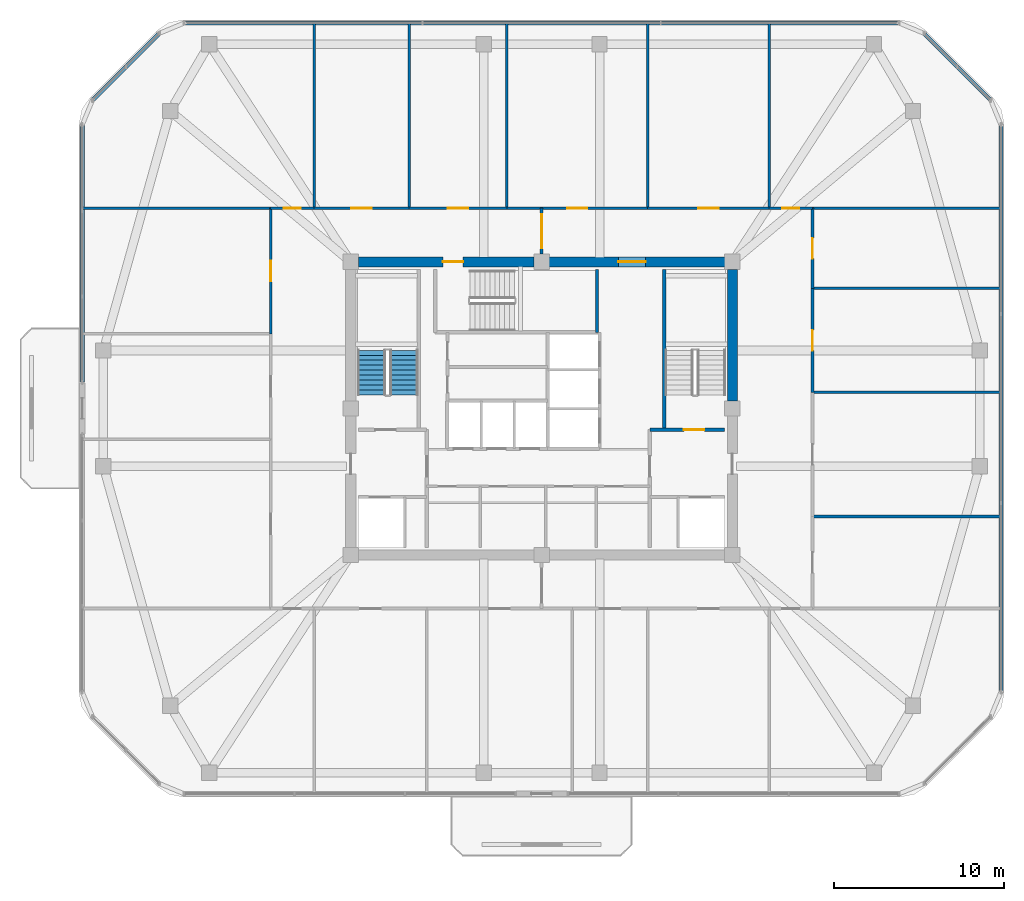
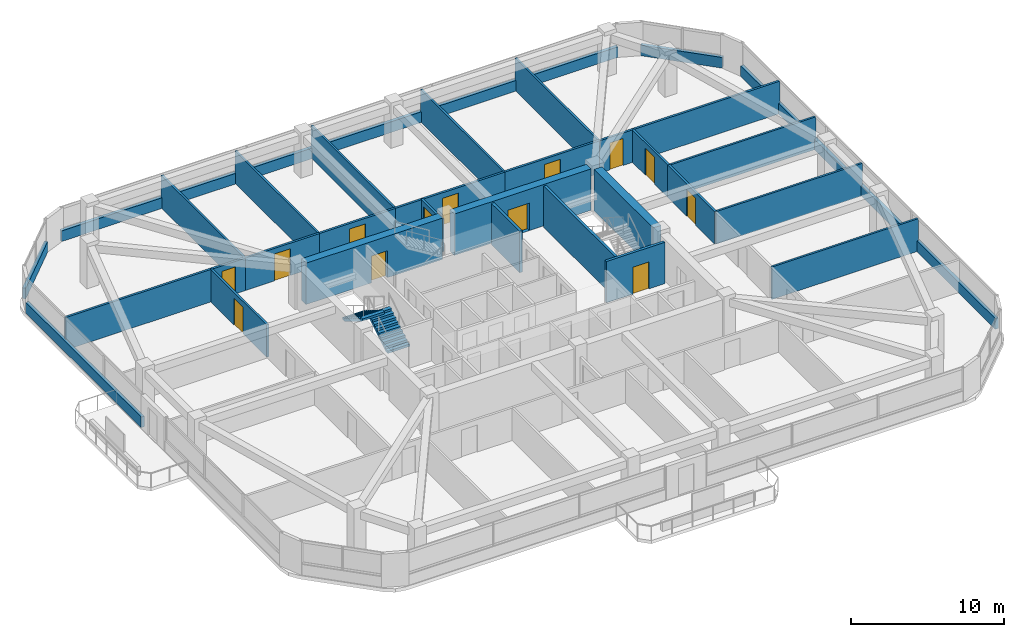
# One storey, part 10 of 13: 31 walls, 13 doors, 2 stair flights, 13 openings, 1 element without a shape of its own.
"""IFC4 building model written with IfcOpenShell, lengths in metres."""

from ifc_helpers import new_model, si_unit, derived_unit, direction, frame, frame_2d, origin, place, context, subcontext, project, spatial, polyline, rectangle, outline, extrude, material, layer, layer_set, type_object, element, fill, aggregate, save


model = new_model("IFC4")

# Units and contexts
model_context = context("Model", 3, precision=1e-05, world=origin(), true_north=direction((0.0, 1.0)))
body_context = subcontext(model_context, "Body", "Model", "MODEL_VIEW")
ifc_project = project(units=[si_unit("LENGTHUNIT", "METRE"), si_unit("AREAUNIT", "SQUARE_METRE"), si_unit("VOLUMEUNIT", "CUBIC_METRE"), si_unit("PLANEANGLEUNIT", "RADIAN"), si_unit("MASSUNIT", "GRAM", prefix="KILO"), derived_unit("THERMALTRANSMITTANCEUNIT", [(si_unit("POWERUNIT", "WATT"), 1), (si_unit("LENGTHUNIT", "METRE"), -2), (si_unit("THERMODYNAMICTEMPERATUREUNIT", "KELVIN"), -1)])], contexts=[model_context])

# Site, building, storey
site_placement = place(None, origin())
site = spatial("IfcSite", under=ifc_project, at=site_placement, CompositionType="ELEMENT")
building_placement = place(site_placement, origin())
building = spatial("IfcBuilding", under=site, at=building_placement, Name="Koralith Skygarden Medical Center", CompositionType="ELEMENT")
storey_placement = place(building_placement, frame((0.0, 0.0, 228.780029296875)))
storey = spatial("IfcBuildingStorey", under=building, at=storey_placement, Name="L59", CompositionType="ELEMENT", Elevation=228.780029296875)

# Walls
ifc_material_1 = material(Name="Gypsum Board Partition")
ifc_layer_1 = layer(ifc_material_1, 0.14990234375)
ifc_layer_set_1 = layer_set([ifc_layer_1], Name="Gypsum Board Partition")
wall_type_1 = type_object("IfcWallType", Name="Clinical Acoustic Partition 150", PredefinedType="PARTITIONING", material=ifc_layer_set_1)
for number, where, z_axis, x_axis, name in (
    (1, (23.64990234375, 37.64990234375, 0.0), (0.0, 0.0, 1.0), (0.0, 1.0, 0.0), "L59 Clinical Acoustic Partition 150 W-PART-L59-N-01"),
    (2, (29.222900390625, 37.64990234375, 0.0), (0.0, 0.0, 1.0), (0.0, 1.0, 0.0), "L59 Clinical Acoustic Partition 150 W-PART-L59-N-02"),
    (3, (34.9619140625, 37.64990234375, 0.0), (0.0, 0.0, 1.0), (0.0, 1.0, 0.0), "L59 Clinical Acoustic Partition 150 W-PART-L59-N-03"),
    (4, (43.220947265625, 37.64990234375, 0.0), (0.0, 0.0, 1.0), (0.0, 1.0, 0.0), "L59 Clinical Acoustic Partition 150 W-PART-L59-N-04"),
    (5, (50.35009765625, 37.64990234375, 0.0), (0.0, 0.0, 1.0), (0.0, 1.0, 0.0), "L59 Clinical Acoustic Partition 150 W-PART-L59-N-05"),
):
    element("IfcWall", number, at=place(storey_placement, frame(where, z_axis=z_axis, x_axis=x_axis)), inside=storey, type_object=wall_type_1, Name=name, PredefinedType="PARTITIONING", context=body_context, shape_type="SweptSolid", body=[
        extrude(rectangle(XDim=10.85009765625, YDim=0.14990234375, at=frame_2d((5.425048828125, 0.0))), origin(), (0.0, 0.0, 1.0), 2.590087890625),
    ])
for number, where, z_axis, x_axis, name in (
    (6, (52.89990234375, 19.554931640625, 0.0), (0.0, 0.0, 1.0), (1.0, 0.0, 0.0), "L59 Clinical Acoustic Partition 150 W-PART-L59-E-01"),
    (7, (52.89990234375, 26.840087890625, 0.0), (0.0, 0.0, 1.0), (1.0, 0.0, 0.0), "L59 Clinical Acoustic Partition 150 W-PART-L59-E-02"),
    (8, (52.89990234375, 32.949951171875, 0.0), (0.0, 0.0, 1.0), (1.0, 0.0, 0.0), "L59 Clinical Acoustic Partition 150 W-PART-L59-E-03"),
):
    element("IfcWall", number, at=place(storey_placement, frame(where, z_axis=z_axis, x_axis=x_axis)), inside=storey, type_object=wall_type_1, Name=name, PredefinedType="PARTITIONING", context=body_context, shape_type="SweptSolid", body=[
        extrude(rectangle(XDim=11.0419921875, YDim=0.14990234375, at=frame_2d((5.52099609375, 0.0))), origin(), (0.0, 0.0, 1.0), 2.590087890625),
    ])
ifc_layer_2 = layer(ifc_material_1, 0.1650390625)
ifc_layer_set_2 = layer_set([ifc_layer_2], Name="Gypsum Board Partition")
wall_type_2 = type_object("IfcWallType", Name="Clinical Corridor Partition 165", PredefinedType="PARTITIONING", material=ifc_layer_set_2)
for number, where, z_axis, x_axis, name in (
    (9, (10.05810546875, 37.64990234375, 0.0), (0.0, 0.0, 1.0), (1.0, 0.0, 0.0), "L59 Clinical Corridor Partition 165 W-WB-L59-NW"),
    (10, (52.89990234375, 37.64990234375, 0.0), (0.0, 0.0, 1.0), (1.0, 0.0, 0.0), "L59 Clinical Corridor Partition 165 W-WB-L59-NE"),
):
    element("IfcWall", number, at=place(storey_placement, frame(where, z_axis=z_axis, x_axis=x_axis)), inside=storey, type_object=wall_type_2, Name=name, PredefinedType="PARTITIONING", context=body_context, shape_type="SweptSolid", body=[
        extrude(rectangle(XDim=11.0419921875, YDim=0.1650390625, at=frame_2d((5.52099609375, 0.0))), origin(), (0.0, 0.0, 1.0), 2.590087890625),
    ])

# Wall, opening, door
wall_1_placement = place(storey_placement, frame((21.10009765625, 37.64990234375, 0.0), z_axis=(0.0, 0.0, 1.0), x_axis=(1.0, 0.0, 0.0)))
wall_1 = element("IfcWall", 11, at=wall_1_placement, inside=storey, type_object=wall_type_2, Name="L59 Clinical Corridor Partition 165 W-CORR-L59-N-01", PredefinedType="PARTITIONING", context=body_context, shape_type="SweptSolid", body=[
    extrude(rectangle(XDim=2.5498046875, YDim=0.1650390625, at=frame_2d((1.27490234375, 0.0))), origin(), (0.0, 0.0, 1.0), 2.590087890625),
])
opening_1_placement = place(wall_1_placement, frame((0.77490234375, 0.0, 0.0)))
opening_1 = element("IfcOpeningElement", 12, at=opening_1_placement, cuts=wall_1, Name="Opening D-SUP", PredefinedType="OPENING", context=body_context, shape_type="SweptSolid", body=[
    extrude(rectangle(XDim=1.0, YDim=2.14990234375, at=frame_2d((0.5, 1.074951171875))), frame((0.0, 0.092529296875, 0.0), z_axis=(0.0, -1.0, 0.0), x_axis=(1.0, 0.0, 0.0)), (0.0, 0.0, 1.0), 0.18505859375),
])
ifc_material_2 = material(Name="Aluminium 6063-T6", Category="aluminium")
door_type_1 = type_object("IfcDoorType", Name="Clinical Support Door D-SUP 1000", OperationType="NOTDEFINED", PredefinedType="DOOR", material=ifc_material_2)
door_1_placement = place(opening_1_placement, origin())
door_1 = element("IfcDoor", 13, at=door_1_placement, inside=storey, type_object=door_type_1, Name="L59 Medical Resident Teaching Seminar Room 01 Door", OperationType="SINGLE_SWING_RIGHT", OverallHeight=2.14990234375, OverallWidth=1.0, PredefinedType="DOOR", context=body_context, shape_type="SweptSolid", body=[
    extrude(rectangle(XDim=1.0, YDim=2.14990234375, at=frame_2d((0.5, 1.074951171875))), frame((0.0, 0.02490234375, 0.0), z_axis=(0.0, -1.0, 0.0), x_axis=(1.0, 0.0, 0.0)), (0.0, 0.0, 1.0), 0.050048828125),
])
fill(opening_1, door_1)

wall_2_placement = place(storey_placement, frame((23.64990234375, 37.64990234375, 0.0), z_axis=(0.0, 0.0, 1.0), x_axis=(1.0, 0.0, 0.0)))
wall_2 = element("IfcWall", 14, at=wall_2_placement, inside=storey, type_object=wall_type_2, Name="L59 Clinical Corridor Partition 165 W-CORR-L59-N-02", PredefinedType="PARTITIONING", context=body_context, shape_type="SweptSolid", body=[
    extrude(rectangle(XDim=5.572998046875, YDim=0.1650390625, at=frame_2d((2.78662109375, 0.0))), origin(), (0.0, 0.0, 1.0), 2.590087890625),
])
opening_2_placement = place(wall_2_placement, frame((2.18701171875, 0.0, 0.0)))
opening_2 = element("IfcOpeningElement", 15, at=opening_2_placement, cuts=wall_2, Name="Opening D-CLN", PredefinedType="OPENING", context=body_context, shape_type="SweptSolid", body=[
    extrude(rectangle(XDim=1.199951171875, YDim=2.14990234375, at=frame_2d((0.60009765625, 1.074951171875))), frame((0.0, 0.092529296875, 0.0), z_axis=(0.0, -1.0, 0.0), x_axis=(1.0, 0.0, 0.0)), (0.0, 0.0, 1.0), 0.18505859375),
])
door_type_2 = type_object("IfcDoorType", Name="Clinical Corridor Door D-CLN 1200", OperationType="NOTDEFINED", PredefinedType="DOOR", material=ifc_material_2)
door_2_placement = place(opening_2_placement, origin())
door_2 = element("IfcDoor", 16, at=door_2_placement, inside=storey, type_object=door_type_2, Name="L59 Care Coordinator Office 02 Door", OperationType="SINGLE_SWING_LEFT", OverallHeight=2.14990234375, OverallWidth=1.199951171875, PredefinedType="DOOR", context=body_context, shape_type="SweptSolid", body=[
    extrude(rectangle(XDim=1.199951171875, YDim=2.14990234375, at=frame_2d((0.60009765625, 1.074951171875))), frame((0.0, 0.02490234375, 0.0), z_axis=(0.0, -1.0, 0.0), x_axis=(1.0, 0.0, 0.0)), (0.0, 0.0, 1.0), 0.050048828125),
])
fill(opening_2, door_2)

wall_3_placement = place(storey_placement, frame((29.222900390625, 37.64990234375, 0.0), z_axis=(0.0, 0.0, 1.0), x_axis=(1.0, 0.0, 0.0)))
wall_3 = element("IfcWall", 17, at=wall_3_placement, inside=storey, type_object=wall_type_2, Name="L59 Clinical Corridor Partition 165 W-CORR-L59-N-03", PredefinedType="PARTITIONING", context=body_context, shape_type="SweptSolid", body=[
    extrude(rectangle(XDim=5.739013671875, YDim=0.1650390625, at=frame_2d((2.86962890625, 0.0))), origin(), (0.0, 0.0, 1.0), 2.590087890625),
])
opening_3_placement = place(wall_3_placement, frame((2.27001953125, 0.0, 0.0)))
opening_3 = element("IfcOpeningElement", 18, at=opening_3_placement, cuts=wall_3, Name="Opening D-CLN", PredefinedType="OPENING", context=body_context, shape_type="SweptSolid", body=[
    extrude(rectangle(XDim=1.199951171875, YDim=2.14990234375, at=frame_2d((0.60009765625, 1.074951171875))), frame((0.0, 0.092529296875, 0.0), z_axis=(0.0, -1.0, 0.0), x_axis=(1.0, 0.0, 0.0)), (0.0, 0.0, 1.0), 0.18505859375),
])
door_3_placement = place(opening_3_placement, origin())
door_3 = element("IfcDoor", 19, at=door_3_placement, inside=storey, type_object=door_type_2, Name="L59 Sterile Supply Equipment Store 03 Door", OperationType="SINGLE_SWING_RIGHT", OverallHeight=2.14990234375, OverallWidth=1.199951171875, PredefinedType="DOOR", context=body_context, shape_type="SweptSolid", body=[
    extrude(rectangle(XDim=1.199951171875, YDim=2.14990234375, at=frame_2d((0.60009765625, 1.074951171875))), frame((0.0, 0.02490234375, 0.0), z_axis=(0.0, -1.0, 0.0), x_axis=(1.0, 0.0, 0.0)), (0.0, 0.0, 1.0), 0.050048828125),
])
fill(opening_3, door_3)

wall_4_placement = place(storey_placement, frame((34.9619140625, 37.64990234375, 0.0), z_axis=(0.0, 0.0, 1.0), x_axis=(1.0, 0.0, 0.0)))
wall_4 = element("IfcWall", 20, at=wall_4_placement, inside=storey, type_object=wall_type_2, Name="L59 Clinical Corridor Partition 165 W-CORR-L59-N-04", PredefinedType="PARTITIONING", context=body_context, shape_type="SweptSolid", body=[
    extrude(rectangle(XDim=8.259033203125, YDim=0.1650390625, at=frame_2d((4.12939453125, 0.0))), origin(), (0.0, 0.0, 1.0), 2.590087890625),
])
opening_4_placement = place(wall_4_placement, frame((3.529052734375, 0.0, 0.0)))
opening_4 = element("IfcOpeningElement", 21, at=opening_4_placement, cuts=wall_4, Name="Opening D-CLN", PredefinedType="OPENING", context=body_context, shape_type="SweptSolid", body=[
    extrude(rectangle(XDim=1.199951171875, YDim=2.14990234375, at=frame_2d((0.60009765625, 1.074951171875))), frame((0.0, 0.092529296875, 0.0), z_axis=(0.0, -1.0, 0.0), x_axis=(1.0, 0.0, 0.0)), (0.0, 0.0, 1.0), 0.18505859375),
])
door_4_placement = place(opening_4_placement, origin())
door_4 = element("IfcDoor", 22, at=door_4_placement, inside=storey, type_object=door_type_2, Name="L59 Clinical Consultation Office 04 Door", OperationType="SINGLE_SWING_LEFT", OverallHeight=2.14990234375, OverallWidth=1.199951171875, PredefinedType="DOOR", context=body_context, shape_type="SweptSolid", body=[
    extrude(rectangle(XDim=1.199951171875, YDim=2.14990234375, at=frame_2d((0.60009765625, 1.074951171875))), frame((0.0, 0.02490234375, 0.0), z_axis=(0.0, -1.0, 0.0), x_axis=(1.0, 0.0, 0.0)), (0.0, 0.0, 1.0), 0.050048828125),
])
fill(opening_4, door_4)

wall_5_placement = place(storey_placement, frame((43.220947265625, 37.64990234375, 0.0), z_axis=(0.0, 0.0, 1.0), x_axis=(1.0, 0.0, 0.0)))
wall_5 = element("IfcWall", 23, at=wall_5_placement, inside=storey, type_object=wall_type_2, Name="L59 Clinical Corridor Partition 165 W-CORR-L59-N-05", PredefinedType="PARTITIONING", context=body_context, shape_type="SweptSolid", body=[
    extrude(rectangle(XDim=7.129150390625, YDim=0.1650390625, at=frame_2d((3.564453125, 0.0))), origin(), (0.0, 0.0, 1.0), 2.590087890625),
])
opening_5_placement = place(wall_5_placement, frame((2.965087890625, 0.0, 0.0)))
opening_5 = element("IfcOpeningElement", 24, at=opening_5_placement, cuts=wall_5, Name="Opening D-CLN", PredefinedType="OPENING", context=body_context, shape_type="SweptSolid", body=[
    extrude(rectangle(XDim=1.199951171875, YDim=2.14990234375, at=frame_2d((0.60009765625, 1.074951171875))), frame((0.0, 0.092529296875, 0.0), z_axis=(0.0, -1.0, 0.0), x_axis=(1.0, 0.0, 0.0)), (0.0, 0.0, 1.0), 0.18505859375),
])
door_5_placement = place(opening_5_placement, origin())
door_5 = element("IfcDoor", 25, at=door_5_placement, inside=storey, type_object=door_type_2, Name="L59 Medical Resident Teaching Seminar Room 05 Door", OperationType="SINGLE_SWING_RIGHT", OverallHeight=2.14990234375, OverallWidth=1.199951171875, PredefinedType="DOOR", context=body_context, shape_type="SweptSolid", body=[
    extrude(rectangle(XDim=1.199951171875, YDim=2.14990234375, at=frame_2d((0.60009765625, 1.074951171875))), frame((0.0, 0.02490234375, 0.0), z_axis=(0.0, -1.0, 0.0), x_axis=(1.0, 0.0, 0.0)), (0.0, 0.0, 1.0), 0.050048828125),
])
fill(opening_5, door_5)

wall_6_placement = place(storey_placement, frame((50.35009765625, 37.64990234375, 0.0), z_axis=(0.0, 0.0, 1.0), x_axis=(1.0, 0.0, 0.0)))
wall_6 = element("IfcWall", 26, at=wall_6_placement, inside=storey, type_object=wall_type_2, Name="L59 Clinical Corridor Partition 165 W-CORR-L59-N-06", PredefinedType="PARTITIONING", context=body_context, shape_type="SweptSolid", body=[
    extrude(rectangle(XDim=2.5498046875, YDim=0.1650390625, at=frame_2d((1.27490234375, 0.0))), origin(), (0.0, 0.0, 1.0), 2.590087890625),
])
opening_6_placement = place(wall_6_placement, frame((0.77490234375, 0.0, 0.0)))
opening_6 = element("IfcOpeningElement", 27, at=opening_6_placement, cuts=wall_6, Name="Opening D-SUP", PredefinedType="OPENING", context=body_context, shape_type="SweptSolid", body=[
    extrude(rectangle(XDim=1.0, YDim=2.14990234375, at=frame_2d((0.5, 1.074951171875))), frame((0.0, 0.092529296875, 0.0), z_axis=(0.0, -1.0, 0.0), x_axis=(1.0, 0.0, 0.0)), (0.0, 0.0, 1.0), 0.18505859375),
])
door_6_placement = place(opening_6_placement, origin())
door_6 = element("IfcDoor", 28, at=door_6_placement, inside=storey, type_object=door_type_1, Name="L59 Care Coordinator Office 06 Door", OperationType="SINGLE_SWING_LEFT", OverallHeight=2.14990234375, OverallWidth=1.0, PredefinedType="DOOR", context=body_context, shape_type="SweptSolid", body=[
    extrude(rectangle(XDim=1.0, YDim=2.14990234375, at=frame_2d((0.5, 1.074951171875))), frame((0.0, 0.02490234375, 0.0), z_axis=(0.0, -1.0, 0.0), x_axis=(1.0, 0.0, 0.0)), (0.0, 0.0, 1.0), 0.050048828125),
])
fill(opening_6, door_6)

wall_7_placement = place(storey_placement, frame((21.10009765625, 30.280029296875, 0.0), z_axis=(0.0, 0.0, 1.0), x_axis=(0.0, 1.0, 0.0)))
wall_7 = element("IfcWall", 29, at=wall_7_placement, inside=storey, type_object=wall_type_2, Name="L59 Clinical Corridor Partition 165 W-CORR-L59-W-03", PredefinedType="PARTITIONING", context=body_context, shape_type="SweptSolid", body=[
    extrude(rectangle(XDim=7.369873046875, YDim=0.1650390625, at=frame_2d((3.68505859375, 0.0))), origin(), (0.0, 0.0, 1.0), 2.590087890625),
])
opening_7_placement = place(wall_7_placement, frame((3.0849609375, 0.0, 0.0)))
opening_7 = element("IfcOpeningElement", 30, at=opening_7_placement, cuts=wall_7, Name="Opening D-CLN", PredefinedType="OPENING", context=body_context, shape_type="SweptSolid", body=[
    extrude(rectangle(XDim=1.199951171875, YDim=2.14990234375, at=frame_2d((0.60009765625, 1.074951171875))), frame((0.0, 0.092529296875, 0.0), z_axis=(0.0, -1.0, 0.0), x_axis=(1.0, 0.0, 0.0)), (0.0, 0.0, 1.0), 0.18505859375),
])
door_7_placement = place(opening_7_placement, frame((1.199951171875, 0.0, 0.0), z_axis=(0.0, 0.0, 1.0), x_axis=(-1.0, 0.0, 0.0)))
door_7 = element("IfcDoor", 31, at=door_7_placement, inside=storey, type_object=door_type_2, Name="L59 Medical Resident Teaching Seminar Room 15 Door", OperationType="SINGLE_SWING_RIGHT", OverallHeight=2.14990234375, OverallWidth=1.199951171875, PredefinedType="DOOR", context=body_context, shape_type="SweptSolid", body=[
    extrude(rectangle(XDim=1.199951171875, YDim=2.14990234375, at=frame_2d((0.60009765625, 1.074951171875))), frame((0.0, 0.02490234375, 0.0), z_axis=(0.0, -1.0, 0.0), x_axis=(1.0, 0.0, 0.0)), (0.0, 0.0, 1.0), 0.050048828125),
])
fill(opening_7, door_7)

wall_8_placement = place(storey_placement, frame((52.89990234375, 26.840087890625, 0.0), z_axis=(0.0, 0.0, 1.0), x_axis=(0.0, 1.0, 0.0)))
wall_8 = element("IfcWall", 32, at=wall_8_placement, inside=storey, type_object=wall_type_2, Name="L59 Clinical Corridor Partition 165 W-CORR-L59-E-03", PredefinedType="PARTITIONING", context=body_context, shape_type="SweptSolid", body=[
    extrude(rectangle(XDim=6.10986328125, YDim=0.1650390625, at=frame_2d((3.054931640625, 0.0))), origin(), (0.0, 0.0, 1.0), 2.590087890625),
])
opening_8_placement = place(wall_8_placement, frame((2.455078125, 0.0, 0.0)))
opening_8 = element("IfcOpeningElement", 33, at=opening_8_placement, cuts=wall_8, Name="Opening D-CLN", PredefinedType="OPENING", context=body_context, shape_type="SweptSolid", body=[
    extrude(rectangle(XDim=1.199951171875, YDim=2.14990234375, at=frame_2d((0.60009765625, 1.074951171875))), frame((0.0, 0.092529296875, 0.0), z_axis=(0.0, -1.0, 0.0), x_axis=(1.0, 0.0, 0.0)), (0.0, 0.0, 1.0), 0.18505859375),
])
door_8_placement = place(opening_8_placement, origin())
door_8 = element("IfcDoor", 34, at=door_8_placement, inside=storey, type_object=door_type_2, Name="L59 Clinical Consultation Office 18 Door", OperationType="SINGLE_SWING_LEFT", OverallHeight=2.14990234375, OverallWidth=1.199951171875, PredefinedType="DOOR", context=body_context, shape_type="SweptSolid", body=[
    extrude(rectangle(XDim=1.199951171875, YDim=2.14990234375, at=frame_2d((0.60009765625, 1.074951171875))), frame((0.0, 0.02490234375, 0.0), z_axis=(0.0, -1.0, 0.0), x_axis=(1.0, 0.0, 0.0)), (0.0, 0.0, 1.0), 0.050048828125),
])
fill(opening_8, door_8)

wall_9_placement = place(storey_placement, frame((52.89990234375, 32.949951171875, 0.0), z_axis=(0.0, 0.0, 1.0), x_axis=(0.0, 1.0, 0.0)))
wall_9 = element("IfcWall", 35, at=wall_9_placement, inside=storey, type_object=wall_type_2, Name="L59 Clinical Corridor Partition 165 W-CORR-L59-E-04", PredefinedType="PARTITIONING", context=body_context, shape_type="SweptSolid", body=[
    extrude(rectangle(XDim=4.699951171875, YDim=0.1650390625, at=frame_2d((2.35009765625, 0.0))), origin(), (0.0, 0.0, 1.0), 2.590087890625),
])
opening_9_placement = place(wall_9_placement, frame((1.75, 0.0, 0.0)))
opening_9 = element("IfcOpeningElement", 36, at=opening_9_placement, cuts=wall_9, Name="Opening D-CLN", PredefinedType="OPENING", context=body_context, shape_type="SweptSolid", body=[
    extrude(rectangle(XDim=1.199951171875, YDim=2.14990234375, at=frame_2d((0.60009765625, 1.074951171875))), frame((0.0, 0.092529296875, 0.0), z_axis=(0.0, -1.0, 0.0), x_axis=(1.0, 0.0, 0.0)), (0.0, 0.0, 1.0), 0.18505859375),
])
door_9_placement = place(opening_9_placement, origin())
door_9 = element("IfcDoor", 37, at=door_9_placement, inside=storey, type_object=door_type_2, Name="L59 Medical Resident Teaching Seminar Room 19 Door", OperationType="SINGLE_SWING_RIGHT", OverallHeight=2.14990234375, OverallWidth=1.199951171875, PredefinedType="DOOR", context=body_context, shape_type="SweptSolid", body=[
    extrude(rectangle(XDim=1.199951171875, YDim=2.14990234375, at=frame_2d((0.60009765625, 1.074951171875))), frame((0.0, 0.02490234375, 0.0), z_axis=(0.0, -1.0, 0.0), x_axis=(1.0, 0.0, 0.0)), (0.0, 0.0, 1.0), 0.050048828125),
])
fill(opening_9, door_9)

ifc_layer_3 = layer(ifc_material_1, 0.179931640625)
ifc_layer_set_3 = layer_set([ifc_layer_3], Name="Gypsum Board Partition")
wall_type_3 = type_object("IfcWallType", Name="Group I-2 Smoke Barrier Wall 180", PredefinedType="PARTITIONING", material=ifc_layer_set_3)
wall_10_placement = place(storey_placement, frame((37.0, 34.949951171875, 0.0), z_axis=(0.0, 0.0, 1.0), x_axis=(0.0, 1.0, 0.0)))
wall_10 = element("IfcWall", 38, at=wall_10_placement, inside=storey, type_object=wall_type_3, Name="L59 Group I-2 Smoke Barrier Wall 180 W-SMK-L59-N", PredefinedType="PARTITIONING", context=body_context, shape_type="SweptSolid", body=[
    extrude(rectangle(XDim=2.699951171875, YDim=0.179931640625, at=frame_2d((1.35009765625, 0.0))), origin(), (0.0, 0.0, 1.0), 2.590087890625),
])
opening_10_placement = place(wall_10_placement, frame((0.35009765625, 0.0, 0.0)))
opening_10 = element("IfcOpeningElement", 39, at=opening_10_placement, cuts=wall_10, Name="Opening D-SMK", PredefinedType="OPENING", context=body_context, shape_type="SweptSolid", body=[
    extrude(rectangle(XDim=2.0, YDim=2.199951171875, at=frame_2d((1.0, 1.10009765625))), frame((0.0, 0.099853515625, 0.0), z_axis=(0.0, -1.0, 0.0), x_axis=(1.0, 0.0, 0.0)), (0.0, 0.0, 1.0), 0.199951171875),
])
ifc_material_3 = material(Name="Steel ASTM A500 Grade C", Category="steel")
door_type_3 = type_object("IfcDoorType", Name="Cross-Corridor Double Smoke Door FD60S 2000", OperationType="NOTDEFINED", PredefinedType="DOOR", material=ifc_material_3)
door_10_placement = place(opening_10_placement, origin())
door_10 = element("IfcDoor", 40, at=door_10_placement, inside=storey, type_object=door_type_3, Name="L59 N Smoke Compartment Cross-Corridor Door", OperationType="DOUBLE_DOOR_SINGLE_SWING", OverallHeight=2.199951171875, OverallWidth=2.0, PredefinedType="DOOR", context=body_context, shape_type="SweptSolid", body=[
    extrude(rectangle(XDim=2.0, YDim=2.199951171875, at=frame_2d((1.0, 1.10009765625))), frame((0.0, 0.02490234375, 0.0), z_axis=(0.0, -1.0, 0.0), x_axis=(1.0, 0.0, 0.0)), (0.0, 0.0, 1.0), 0.050048828125),
])
fill(opening_10, door_10)

# Walls
ifc_material_4 = material(Name="Warm Oolitic Limestone Cladding", Category="masonry")
ifc_layer_4 = layer(ifc_material_4, 0.239990234375)
ifc_layer_set_4 = layer_set([ifc_layer_4], Name="Warm Oolitic Limestone Cladding")
wall_type_4 = type_object("IfcWallType", Name="Limestone Spandrel Sill Backup Wall 240", PredefinedType="SOLIDWALL", material=ifc_layer_set_4)
wall_11_placement = place(storey_placement, frame((63.9619140625, 9.2548828125, 0.0), z_axis=(0.0, 0.0, 1.0), x_axis=(0.0, 1.0, 0.0)))
element("IfcWall", 41, at=wall_11_placement, inside=storey, type_object=wall_type_4, Name="L59 Sill Spandrel E", PredefinedType="SOLIDWALL", context=body_context, shape_type="SweptSolid", body=[
    extrude(rectangle(XDim=33.2900390625, YDim=0.239990234375, at=frame_2d((16.64501953125, 0.0))), origin(), (0.0, 0.0, 1.0), 0.849853515625),
])
wall_12_placement = place(storey_placement, frame((63.361083984375, 43.99609375, 0.0), z_axis=(0.0, 0.0, 1.0), x_axis=(-0.707128783731, 0.707084777957, 0.0)))
element("IfcWall", 42, at=wall_12_placement, inside=storey, type_object=wall_type_4, Name="L59 Sill Spandrel NE", PredefinedType="SOLIDWALL", context=body_context, shape_type="SweptSolid", body=[
    extrude(rectangle(XDim=5.5478515625, YDim=0.239990234375, at=frame_2d((2.77392578125, 0.0))), origin(), (0.0, 0.0, 1.0), 0.849853515625),
])
wall_13_placement = place(storey_placement, frame((57.987060546875, 48.52001953125, 0.0), z_axis=(0.0, 0.0, 1.0), x_axis=(-1.0, 0.0, 0.0)))
element("IfcWall", 43, at=wall_13_placement, inside=storey, type_object=wall_type_4, Name="L59 Sill Spandrel N", PredefinedType="SOLIDWALL", context=body_context, shape_type="SweptSolid", body=[
    extrude(rectangle(XDim=41.97412109375, YDim=0.239990234375, at=frame_2d((20.987060546875, 0.0))), origin(), (0.0, 0.0, 1.0), 0.849853515625),
])
wall_14_placement = place(storey_placement, frame((14.56201171875, 47.9189453125, 0.0), z_axis=(0.0, 0.0, 1.0), x_axis=(-0.707128783731, -0.707084777957, 0.0)))
element("IfcWall", 44, at=wall_14_placement, inside=storey, type_object=wall_type_4, Name="L59 Sill Spandrel NW", PredefinedType="SOLIDWALL", context=body_context, shape_type="SweptSolid", body=[
    extrude(rectangle(XDim=5.5478515625, YDim=0.239990234375, at=frame_2d((2.77392578125, 0.0))), origin(), (0.0, 0.0, 1.0), 0.849853515625),
])
wall_15_placement = place(storey_placement, frame((10.0380859375, 42.544921875, 0.0), z_axis=(0.0, 0.0, 1.0), x_axis=(0.0, -1.0, 0.0)))
element("IfcWall", 45, at=wall_15_placement, inside=storey, type_object=wall_type_4, Name="L59 Sill Spandrel W-L", PredefinedType="SOLIDWALL", context=body_context, shape_type="SweptSolid", body=[
    extrude(rectangle(XDim=15.10498046875, YDim=0.239990234375, at=frame_2d((7.552490234375, 0.0))), origin(), (0.0, 0.0, 1.0), 0.849853515625),
])
ifc_material_5 = material(Name="Concrete C45/55", Category="concrete")
ifc_layer_5 = layer(ifc_material_5, 0.199951171875)
ifc_layer_set_5 = layer_set([ifc_layer_5], Name="Concrete C45/55")
wall_type_5 = type_object("IfcWallType", Name="Structural Stair Shaft Wall 200", PredefinedType="SHEAR", material=ifc_layer_set_5)
wall_16_placement = place(storey_placement, frame((44.199951171875, 24.64990234375, 0.0), z_axis=(0.0, 0.0, 1.0), x_axis=(0.0, 1.0, 0.0)))
element("IfcWall", 46, at=wall_16_placement, inside=storey, type_object=wall_type_5, Name="L59 Structural Stair Shaft Wall 200 W-CORE-L59-ST2-W", PredefinedType="SHEAR", context=body_context, shape_type="SweptSolid", body=[
    extrude(rectangle(XDim=9.400146484375, YDim=0.199951171875, at=frame_2d((4.7001953125, 0.0))), origin(), (0.0, 0.0, 1.0), 3.300048828125),
])

# Wall, opening, door
wall_17_placement = place(storey_placement, frame((43.35009765625, 24.64990234375, 0.0), z_axis=(0.0, 0.0, 1.0), x_axis=(1.0, 0.0, 0.0)))
wall_17 = element("IfcWall", 47, at=wall_17_placement, inside=storey, type_object=wall_type_5, Name="L59 Structural Stair Shaft Wall 200 W-CORE-L59-ST2-S", PredefinedType="SHEAR", context=body_context, shape_type="SweptSolid", body=[
    extrude(rectangle(XDim=4.39990234375, YDim=0.199951171875, at=frame_2d((2.199951171875, 0.0))), origin(), (0.0, 0.0, 1.0), 3.300048828125),
])
opening_11_placement = place(wall_17_placement, frame((2.0, 0.0, 0.0)))
opening_11 = element("IfcOpeningElement", 48, at=opening_11_placement, cuts=wall_17, Name="Opening D-ST60", PredefinedType="OPENING", context=body_context, shape_type="SweptSolid", body=[
    extrude(rectangle(XDim=1.199951171875, YDim=2.14990234375, at=frame_2d((0.60009765625, 1.074951171875))), frame((0.0, 0.10986328125, 0.0), z_axis=(0.0, -1.0, 0.0), x_axis=(1.0, 0.0, 0.0)), (0.0, 0.0, 1.0), 0.219970703125),
])
door_type_4 = type_object("IfcDoorType", Name="Smokeproof Stair Fire Door FD60S 1200", OperationType="NOTDEFINED", PredefinedType="DOOR", material=ifc_material_3)
door_11_placement = place(opening_11_placement, origin())
door_11 = element("IfcDoor", 49, at=door_11_placement, inside=storey, type_object=door_type_4, Name="L59 Exit Stair ST2 Fire Door", OperationType="SINGLE_SWING_RIGHT", OverallHeight=2.14990234375, OverallWidth=1.199951171875, PredefinedType="DOOR", context=body_context, shape_type="SweptSolid", body=[
    extrude(rectangle(XDim=1.199951171875, YDim=2.14990234375, at=frame_2d((0.60009765625, 1.074951171875))), frame((0.0, 0.02490234375, 0.0), z_axis=(0.0, -1.0, 0.0), x_axis=(1.0, 0.0, 0.0)), (0.0, 0.0, 1.0), 0.050048828125),
])
fill(opening_11, door_11)

# Walls
wall_18_placement = place(storey_placement, frame((40.25, 30.360107421875, 0.0), z_axis=(0.0, 0.0, 1.0), x_axis=(0.0, 1.0, 0.0)))
element("IfcWall", 50, at=wall_18_placement, inside=storey, type_object=wall_type_5, Name="L59 Structural Stair Shaft Wall 200 W-CORE-L59-ST3-E", PredefinedType="SHEAR", context=body_context, shape_type="SweptSolid", body=[
    extrude(rectangle(XDim=3.68994140625, YDim=0.199951171875, at=frame_2d((1.844970703125, 0.0))), origin(), (0.0, 0.0, 1.0), 3.300048828125),
])
ifc_material_6 = material(Name="Concrete C55/67", Category="concrete")
ifc_layer_6 = layer(ifc_material_6, 0.60009765625)
ifc_layer_set_6 = layer_set([ifc_layer_6], Name="Concrete C55/67")
wall_type_6 = type_object("IfcWallType", Name="Upper Core Shear Wall 600", PredefinedType="SHEAR", material=ifc_layer_set_6)
wall_19_placement = place(storey_placement, frame((48.199951171875, 26.344970703125, 0.0), z_axis=(0.0, 0.0, 1.0), x_axis=(0.0, 1.0, 0.0)))
element("IfcWall", 51, at=wall_19_placement, inside=storey, type_object=wall_type_6, Name="L59 Core Shear Wall Segment 4", PredefinedType="SHEAR", context=body_context, shape_type="SweptSolid", body=[
    extrude(rectangle(XDim=7.7099609375, YDim=0.60009765625, at=frame_2d((3.85498046875, 0.0))), origin(), (0.0, 0.0, 1.0), 3.300048828125),
])

# Wall, opening, door
wall_20_placement = place(storey_placement, frame((47.7548828125, 34.5, 0.0), z_axis=(0.0, 0.0, 1.0), x_axis=(-1.0, 0.0, 0.0)))
wall_20 = element("IfcWall", 52, at=wall_20_placement, inside=storey, type_object=wall_type_6, Name="L59 Core Shear Wall Segment 5", PredefinedType="SHEAR", context=body_context, shape_type="SweptSolid", body=[
    extrude(rectangle(XDim=10.309814453125, YDim=0.60009765625, at=frame_2d((5.15478515625, 0.0))), origin(), (0.0, 0.0, 1.0), 3.300048828125),
])
opening_12_placement = place(wall_20_placement, frame((4.655029296875, 0.0, 0.0)))
opening_12 = element("IfcOpeningElement", 53, at=opening_12_placement, cuts=wall_20, Name="Opening D-DBL", PredefinedType="OPENING", context=body_context, shape_type="SweptSolid", body=[
    extrude(rectangle(XDim=1.60009765625, YDim=2.199951171875, at=frame_2d((0.800048828125, 1.10009765625))), frame((0.0, 0.31005859375, 0.0), z_axis=(0.0, -1.0, 0.0), x_axis=(1.0, 0.0, 0.0)), (0.0, 0.0, 1.0), 0.6201171875),
])
door_type_5 = type_object("IfcDoorType", Name="Double Clinical Suite Door D-DBL 1600", OperationType="NOTDEFINED", PredefinedType="DOOR", material=ifc_material_2)
door_12_placement = place(opening_12_placement, frame((1.60009765625, 0.0, 0.0), z_axis=(0.0, 0.0, 1.0), x_axis=(-1.0, 0.0, 0.0)))
door_12 = element("IfcDoor", 54, at=door_12_placement, inside=storey, type_object=door_type_5, Name="L59 North-East Corridor to Elevator Lobby Door", OperationType="DOUBLE_DOOR_SINGLE_SWING", OverallHeight=2.199951171875, OverallWidth=1.60009765625, PredefinedType="DOOR", context=body_context, shape_type="SweptSolid", body=[
    extrude(rectangle(XDim=1.60009765625, YDim=2.199951171875, at=frame_2d((0.800048828125, 1.10009765625))), frame((0.0, 0.02490234375, 0.0), z_axis=(0.0, -1.0, 0.0), x_axis=(1.0, 0.0, 0.0)), (0.0, 0.0, 1.0), 0.050048828125),
])
fill(opening_12, door_12)

wall_21_placement = place(storey_placement, frame((36.554931640625, 34.5, 0.0), z_axis=(0.0, 0.0, 1.0), x_axis=(-1.0, 0.0, 0.0)))
wall_21 = element("IfcWall", 55, at=wall_21_placement, inside=storey, type_object=wall_type_6, Name="L59 Core Shear Wall Segment 6", PredefinedType="SHEAR", context=body_context, shape_type="SweptSolid", body=[
    extrude(rectangle(XDim=10.309814453125, YDim=0.60009765625, at=frame_2d((5.15478515625, 0.0))), origin(), (0.0, 0.0, 1.0), 3.300048828125),
])
opening_13_placement = place(wall_21_placement, frame((4.155029296875, 0.0, 0.0)))
opening_13 = element("IfcOpeningElement", 56, at=opening_13_placement, cuts=wall_21, Name="Opening D-ST60", PredefinedType="OPENING", context=body_context, shape_type="SweptSolid", body=[
    extrude(rectangle(XDim=1.199951171875, YDim=2.14990234375, at=frame_2d((0.60009765625, 1.074951171875))), frame((0.0, 0.31005859375, 0.0), z_axis=(0.0, -1.0, 0.0), x_axis=(1.0, 0.0, 0.0)), (0.0, 0.0, 1.0), 0.6201171875),
])
door_13_placement = place(opening_13_placement, frame((1.199951171875, 0.0, 0.0), z_axis=(0.0, 0.0, 1.0), x_axis=(-1.0, 0.0, 0.0)))
door_13 = element("IfcDoor", 57, at=door_13_placement, inside=storey, type_object=door_type_4, Name="L59 Exit Stair ST3 Fire Door", OperationType="SINGLE_SWING_LEFT", OverallHeight=2.14990234375, OverallWidth=1.199951171875, PredefinedType="DOOR", context=body_context, shape_type="SweptSolid", body=[
    extrude(rectangle(XDim=1.199951171875, YDim=2.14990234375, at=frame_2d((0.60009765625, 1.074951171875))), frame((0.0, 0.02490234375, 0.0), z_axis=(0.0, -1.0, 0.0), x_axis=(1.0, 0.0, 0.0)), (0.0, 0.0, 1.0), 0.050048828125),
])
fill(opening_13, door_13)

# Stair, stair flights
stair_type = type_object("IfcStairType", Name="Core Exit Dogleg Concrete Stair", PredefinedType="HALF_TURN_STAIR", material=ifc_material_5)
stair_placement = place(storey_placement, origin())
stair = element("IfcStair", 58, at=stair_placement, inside=storey, type_object=stair_type, Name="L59 Smokeproof Exit Stair ST1", PredefinedType="HALF_TURN_STAIR")
stair_flight_type = type_object("IfcStairFlightType", Name="Core Exit Concrete Stair Flight 1650", PredefinedType="STRAIGHT", material=ifc_material_5)
stair_flight_1_placement = place(storey_placement, frame((28.925048828125, 26.699951171875, 0.0), z_axis=(0.0, 0.0, 1.0), x_axis=(0.0, 1.0, 0.0)))
stair_flight_1 = element("IfcStairFlight", 59, at=stair_flight_1_placement, type_object=stair_flight_type, Name="ST1 flight 1", NumberOfRisers=10, NumberOfTreads=9, PredefinedType="STRAIGHT", RiserHeight=0.18, TreadLength=0.29, context=body_context, shape_type="SweptSolid", body=[
    extrude(outline(polyline([(0.0, 0.0), (0.0, 0.179931640625), (0.2900390625, 0.179931640625), (0.2900390625, 0.360107421875), (0.580078125, 0.360107421875), (0.580078125, 0.5400390625), (0.8701171875, 0.5400390625), (0.8701171875, 0.719970703125), (1.159912109375, 0.719970703125), (1.159912109375, 0.89990234375), (1.449951171875, 0.89990234375), (1.449951171875, 1.080078125), (1.739990234375, 1.080078125), (1.739990234375, 1.260009765625), (2.030029296875, 1.260009765625), (2.030029296875, 1.43994140625), (2.320068359375, 1.43994140625), (2.320068359375, 1.6201171875), (2.610107421875, 1.6201171875), (2.610107421875, 1.800048828125), (2.610107421875, 1.443603515625), (0.2841796875, 0.0), (0.0, 0.0)])), frame((0.0, 0.824951171875, 0.0), z_axis=(0.0, -1.0, 0.0), x_axis=(1.0, 0.0, 0.0)), (0.0, 0.0, 1.0), 1.64990234375),
])
stair_flight_2_placement = place(storey_placement, frame((27.02490234375, 29.31005859375, 1.800048828125), z_axis=(0.0, 0.0, 1.0), x_axis=(0.0, -1.0, 0.0)))
stair_flight_2 = element("IfcStairFlight", 60, at=stair_flight_2_placement, type_object=stair_flight_type, Name="ST1 flight 2", NumberOfRisers=10, NumberOfTreads=9, PredefinedType="STRAIGHT", RiserHeight=0.18, TreadLength=0.29, context=body_context, shape_type="SweptSolid", body=[
    extrude(outline(polyline([(0.0, 0.0), (0.0, 0.179931640625), (0.2900390625, 0.179931640625), (0.2900390625, 0.360107421875), (0.580078125, 0.360107421875), (0.580078125, 0.5400390625), (0.8701171875, 0.5400390625), (0.8701171875, 0.719970703125), (1.159912109375, 0.719970703125), (1.159912109375, 0.89990234375), (1.449951171875, 0.89990234375), (1.449951171875, 1.080078125), (1.739990234375, 1.080078125), (1.739990234375, 1.260009765625), (2.030029296875, 1.260009765625), (2.030029296875, 1.43994140625), (2.320068359375, 1.43994140625), (2.320068359375, 1.6201171875), (2.610107421875, 1.6201171875), (2.610107421875, 1.800048828125), (2.610107421875, 1.443603515625), (0.2841796875, 0.0), (0.0, 0.0)])), frame((0.0, 0.824951171875, 0.0), z_axis=(0.0, -1.0, 0.0), x_axis=(1.0, 0.0, 0.0)), (0.0, 0.0, 1.0), 1.64990234375),
])
aggregate(stair, [stair_flight_1, stair_flight_2])

save(model, "model.ifc")
